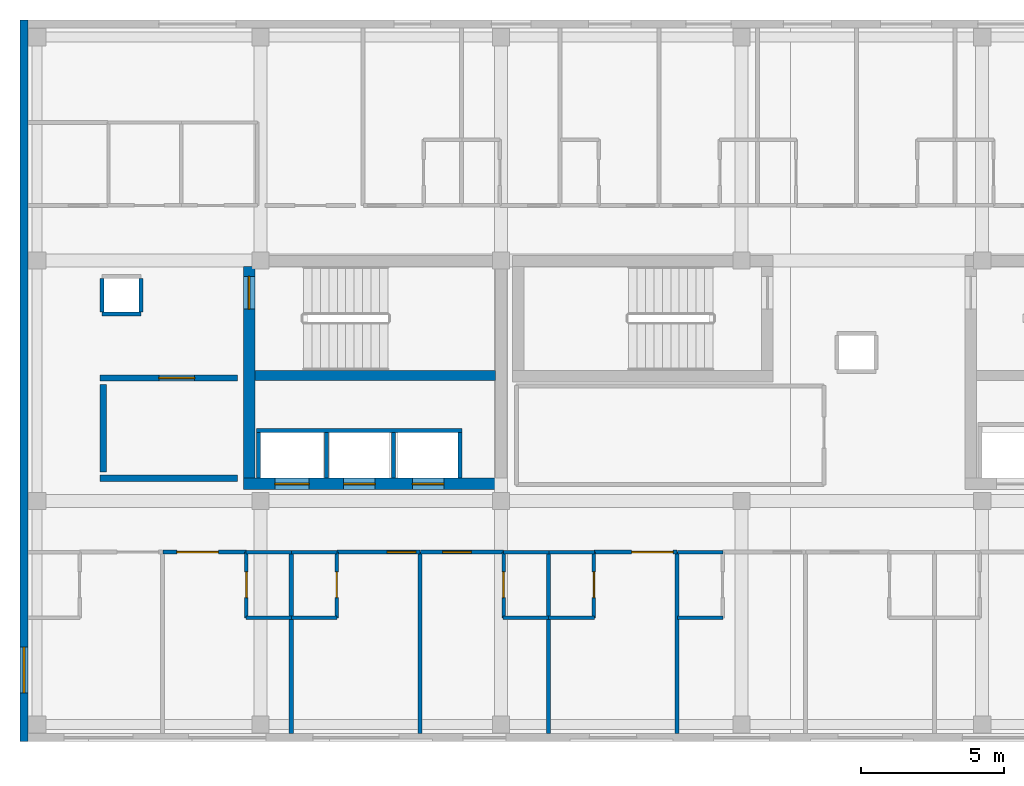
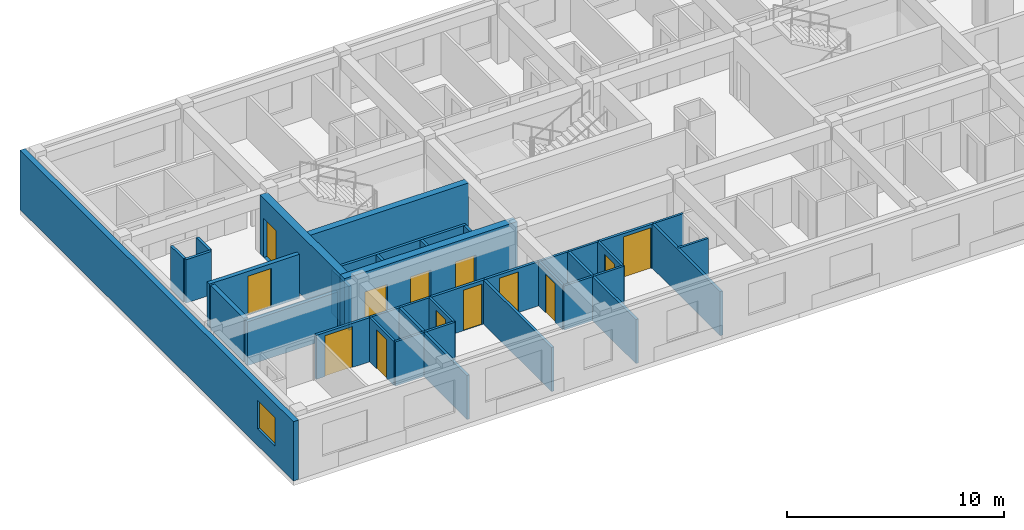
# One storey, part 2 of 9: 37 walls, 13 doors, 1 window, 14 openings.
"""IFC4 building model written with IfcOpenShell, lengths in metres."""

from ifc_helpers import new_model, si_unit, direction, frame, frame_2d, origin, place, context, subcontext, project, spatial, rectangle, extrude, material, layer, layer_set, type_object, element, fill, save


model = new_model("IFC4")

# Units and contexts
model_context = context("Model", 3, precision=1e-05, world=origin(), true_north=direction((0.0, 1.0)))
body_context = subcontext(model_context, "Body", "Model", "MODEL_VIEW")
ifc_project = project(units=[si_unit("LENGTHUNIT", "METRE"), si_unit("AREAUNIT", "SQUARE_METRE"), si_unit("VOLUMEUNIT", "CUBIC_METRE"), si_unit("PLANEANGLEUNIT", "RADIAN"), si_unit("MASSUNIT", "GRAM", prefix="KILO")], contexts=[model_context])

# Site, building, storey
site_placement = place(None, origin())
site = spatial("IfcSite", under=ifc_project, at=site_placement, CompositionType="ELEMENT")
building_placement = place(site_placement, origin())
building = spatial("IfcBuilding", under=site, at=building_placement, Name="Zayran Congress Hotel", CompositionType="ELEMENT")
storey_placement = place(building_placement, frame((0.0, 0.0, 40.800048828125)))
storey = spatial("IfcBuildingStorey", under=building, at=storey_placement, Name="L10", CompositionType="ELEMENT", Elevation=40.800048828125)

# Wall, opening, window
ifc_material_1 = material(Name="Hajar Ma'ani limestone cavity wall and concrete C32/40", Category="masonry")
ifc_layer_1 = layer(ifc_material_1, 0.280029296875)
ifc_layer_set_1 = layer_set([ifc_layer_1], Name="Hajar Ma'ani limestone cavity wall and concrete C32/40")
wall_type_1 = type_object("IfcWallType", Name="WL-EX-280", PredefinedType="SOLIDWALL", material=ifc_layer_set_1)
wall_1_placement = place(storey_placement, frame((16.93994140625, 8.800048828125, 0.0), z_axis=(0.0, 0.0, 1.0), x_axis=(0.0, 1.0, 0.0)))
wall_1 = element("IfcWall", 1, at=wall_1_placement, inside=storey, type_object=wall_type_1, Name="EW-V5-W-L10", PredefinedType="SOLIDWALL", context=body_context, shape_type="SweptSolid", body=[
    extrude(rectangle(XDim=25.199951171875, YDim=0.280029296875, at=frame_2d((12.60009765625, 0.0))), origin(), (0.0, 0.0, 1.0), 3.33984375),
])
opening_1_placement = place(wall_1_placement, frame((1.699951171875, 0.0, 0.949951171875)))
opening_1 = element("IfcOpeningElement", 2, at=opening_1_placement, cuts=wall_1, Name="Opening WN-15", PredefinedType="OPENING", context=body_context, shape_type="SweptSolid", body=[
    extrude(rectangle(XDim=1.60009765625, YDim=1.60009765625, at=frame_2d((0.800048828125, 0.800048828125))), frame((0.0, 0.14990234375, 0.0), z_axis=(0.0, -1.0, 0.0), x_axis=(1.0, 0.0, 0.0)), (0.0, 0.0, 1.0), 0.300048828125),
])
ifc_material_2 = material(Name="Anodised aluminium and low-E insulated glass", Category="aluminium")
window_type = type_object("IfcWindowType", Name="TP-WN-15", PartitioningType="SINGLE_PANEL", PredefinedType="WINDOW", material=ifc_material_2)
window_placement = place(opening_1_placement, origin())
window = element("IfcWindow", 3, at=window_placement, inside=storey, type_object=window_type, Name="WIN-V5W-L10", OverallHeight=1.60009765625, OverallWidth=1.60009765625, PartitioningType="SINGLE_PANEL", PredefinedType="WINDOW", context=body_context, shape_type="SweptSolid", body=[
    extrude(rectangle(XDim=1.60009765625, YDim=1.60009765625, at=frame_2d((0.800048828125, 0.800048828125))), frame((0.0, 0.030029296875, 0.0), z_axis=(0.0, -1.0, 0.0), x_axis=(1.0, 0.0, 0.0)), (0.0, 0.0, 1.0), 0.06005859375),
])
fill(opening_1, window)

# Wall, openings, doors
ifc_material_3 = material(Name="Concrete C40/50", Category="concrete")
ifc_layer_2 = layer(ifc_material_3, 0.39990234375)
ifc_layer_set_2 = layer_set([ifc_layer_2], Name="Concrete C40/50")
wall_type_2 = type_object("IfcWallType", Name="WL-SH-400", PredefinedType="SHEAR", material=ifc_layer_set_2)
wall_2_placement = place(storey_placement, frame((24.60009765625, 17.800048828125, 0.0), z_axis=(0.0, 0.0, 1.0), x_axis=(1.0, 0.0, 0.0)))
wall_2 = element("IfcWall", 4, at=wall_2_placement, inside=storey, type_object=wall_type_2, Name="CWALL-C-V5W-L10-S", PredefinedType="SHEAR", context=body_context, shape_type="SweptSolid", body=[
    extrude(rectangle(XDim=9.199951171875, YDim=0.39990234375, at=frame_2d((4.60009765625, 0.0))), origin(), (0.0, 0.0, 1.0), 3.320068359375),
])
opening_2_placement = place(wall_2_placement, frame((1.10009765625, 0.0, 0.0)))
opening_2 = element("IfcOpeningElement", 5, at=opening_2_placement, cuts=wall_2, Name="Opening LD-FL01", PredefinedType="OPENING", context=body_context, shape_type="SweptSolid", body=[
    extrude(rectangle(XDim=1.199951171875, YDim=2.199951171875, at=frame_2d((0.60009765625, 1.10009765625))), frame((0.0, 0.2099609375, 0.0), z_axis=(0.0, -1.0, 0.0), x_axis=(1.0, 0.0, 0.0)), (0.0, 0.0, 1.0), 0.419921875),
])
opening_3_placement = place(wall_2_placement, frame((3.5, 0.0, 0.0)))
opening_3 = element("IfcOpeningElement", 6, at=opening_3_placement, cuts=wall_2, Name="Opening LD-PL01", PredefinedType="OPENING", context=body_context, shape_type="SweptSolid", body=[
    extrude(rectangle(XDim=1.10009765625, YDim=2.199951171875, at=frame_2d((0.550048828125, 1.10009765625))), frame((0.0, 0.2099609375, 0.0), z_axis=(0.0, -1.0, 0.0), x_axis=(1.0, 0.0, 0.0)), (0.0, 0.0, 1.0), 0.419921875),
])
opening_4_placement = place(wall_2_placement, frame((5.89990234375, 0.0, 0.0)))
opening_4 = element("IfcOpeningElement", 7, at=opening_4_placement, cuts=wall_2, Name="Opening LD-PL02", PredefinedType="OPENING", context=body_context, shape_type="SweptSolid", body=[
    extrude(rectangle(XDim=1.10009765625, YDim=2.199951171875, at=frame_2d((0.550048828125, 1.10009765625))), frame((0.0, 0.2099609375, 0.0), z_axis=(0.0, -1.0, 0.0), x_axis=(1.0, 0.0, 0.0)), (0.0, 0.0, 1.0), 0.419921875),
])
ifc_material_4 = material(Name="Brushed stainless steel sliding lift landing door", Category="steel")
door_type_1 = type_object("IfcDoorType", Name="TP-DR-LD-01", OperationType="DOUBLE_DOOR_SLIDING", PredefinedType="DOOR", material=ifc_material_4)
door_1_placement = place(opening_3_placement, origin())
door_1 = element("IfcDoor", 8, at=door_1_placement, inside=storey, type_object=door_type_1, Name="Lift PL-01 Sliding Landing Door L10", OperationType="DOUBLE_DOOR_SLIDING", OverallHeight=2.199951171875, OverallWidth=1.10009765625, PredefinedType="DOOR", context=body_context, shape_type="SweptSolid", body=[
    extrude(rectangle(XDim=1.10009765625, YDim=2.199951171875, at=frame_2d((0.550048828125, 1.10009765625))), frame((0.0, 0.02490234375, 0.0), z_axis=(0.0, -1.0, 0.0), x_axis=(1.0, 0.0, 0.0)), (0.0, 0.0, 1.0), 0.050048828125),
])
fill(opening_3, door_1)
door_2_placement = place(opening_4_placement, origin())
door_2 = element("IfcDoor", 9, at=door_2_placement, inside=storey, type_object=door_type_1, Name="Lift PL-02 Sliding Landing Door L10", OperationType="DOUBLE_DOOR_SLIDING", OverallHeight=2.199951171875, OverallWidth=1.10009765625, PredefinedType="DOOR", context=body_context, shape_type="SweptSolid", body=[
    extrude(rectangle(XDim=1.10009765625, YDim=2.199951171875, at=frame_2d((0.550048828125, 1.10009765625))), frame((0.0, 0.02490234375, 0.0), z_axis=(0.0, -1.0, 0.0), x_axis=(1.0, 0.0, 0.0)), (0.0, 0.0, 1.0), 0.050048828125),
])
fill(opening_4, door_2)
ifc_material_5 = material(Name="Brushed stainless steel firefighting lift landing door", Category="steel")
door_type_2 = type_object("IfcDoorType", Name="TP-DR-LD-02", OperationType="DOUBLE_DOOR_SLIDING", PredefinedType="DOOR", material=ifc_material_5)
door_3_placement = place(opening_2_placement, origin())
door_3 = element("IfcDoor", 10, at=door_3_placement, inside=storey, type_object=door_type_2, Name="Lift FL-01 Sliding Landing Door L10", OperationType="DOUBLE_DOOR_SLIDING", OverallHeight=2.199951171875, OverallWidth=1.199951171875, PredefinedType="DOOR", context=body_context, shape_type="SweptSolid", body=[
    extrude(rectangle(XDim=1.199951171875, YDim=2.199951171875, at=frame_2d((0.60009765625, 1.10009765625))), frame((0.0, 0.02490234375, 0.0), z_axis=(0.0, -1.0, 0.0), x_axis=(1.0, 0.0, 0.0)), (0.0, 0.0, 1.0), 0.050048828125),
])
fill(opening_2, door_3)

# Wall, opening, door
wall_3_placement = place(storey_placement, frame((24.800048828125, 25.39990234375, 0.0), z_axis=(0.0, 0.0, 1.0), x_axis=(0.0, -1.0, 0.0)))
wall_3 = element("IfcWall", 11, at=wall_3_placement, inside=storey, type_object=wall_type_2, Name="CWALL-C-V5W-L10-W", PredefinedType="SHEAR", context=body_context, shape_type="SweptSolid", body=[
    extrude(rectangle(XDim=7.39990234375, YDim=0.39990234375, at=frame_2d((3.699951171875, 0.0))), origin(), (0.0, 0.0, 1.0), 3.320068359375),
])
opening_5_placement = place(wall_3_placement, frame((0.35009765625, 0.0, 0.0)))
opening_5 = element("IfcOpeningElement", 12, at=opening_5_placement, cuts=wall_3, Name="Opening DR-FD-90", PredefinedType="OPENING", context=body_context, shape_type="SweptSolid", body=[
    extrude(rectangle(XDim=1.14990234375, YDim=2.199951171875, at=frame_2d((0.574951171875, 1.10009765625))), frame((0.0, 0.2099609375, 0.0), z_axis=(0.0, -1.0, 0.0), x_axis=(1.0, 0.0, 0.0)), (0.0, 0.0, 1.0), 0.419921875),
])
ifc_material_6 = material(Name="Painted steel fire door assembly", Category="steel")
door_type_3 = type_object("IfcDoorType", Name="TP-DR-FD-90", OperationType="NOTDEFINED", PredefinedType="DOOR", material=ifc_material_6)
door_4_placement = place(opening_5_placement, origin())
door_4 = element("IfcDoor", 13, at=door_4_placement, inside=storey, type_object=door_type_3, Name="ST-01 Exit Stair Door L10", OperationType="SINGLE_SWING_LEFT", OverallHeight=2.199951171875, OverallWidth=1.14990234375, PredefinedType="DOOR", context=body_context, shape_type="SweptSolid", body=[
    extrude(rectangle(XDim=1.14990234375, YDim=2.199951171875, at=frame_2d((0.574951171875, 1.10009765625))), frame((0.0, 0.02490234375, 0.0), z_axis=(0.0, -1.0, 0.0), x_axis=(1.0, 0.0, 0.0)), (0.0, 0.0, 1.0), 0.050048828125),
])
fill(opening_5, door_4)

# Walls
ifc_layer_3 = layer(ifc_material_3, 0.35009765625)
ifc_layer_set_3 = layer_set([ifc_layer_3], Name="Concrete C40/50")
wall_type_3 = type_object("IfcWallType", Name="WL-SH-350", PredefinedType="SHEAR", material=ifc_layer_set_3)
wall_4_placement = place(storey_placement, frame((25.0, 21.5849609375, 0.0), z_axis=(0.0, 0.0, 1.0), x_axis=(1.0, 0.0, 0.0)))
element("IfcWall", 14, at=wall_4_placement, inside=storey, type_object=wall_type_3, Name="CWALL-C-V5W-L10-SPN", PredefinedType="SHEAR", context=body_context, shape_type="SweptSolid", body=[
    extrude(rectangle(XDim=8.39990234375, YDim=0.35009765625, at=frame_2d((4.199951171875, 0.0))), origin(), (0.0, 0.0, 1.0), 3.320068359375),
])
ifc_material_7 = material(Name="Concrete C32/40 fire wall", Category="concrete")
ifc_layer_4 = layer(ifc_material_7, 0.219970703125)
ifc_layer_set_4 = layer_set([ifc_layer_4], Name="Concrete C32/40 fire wall")
wall_type_4 = type_object("IfcWallType", Name="WL-FF-220", PredefinedType="SOLIDWALL", material=ifc_layer_set_4)
wall_5_placement = place(storey_placement, frame((19.60009765625, 18.0, 0.0), z_axis=(0.0, 0.0, 1.0), x_axis=(1.0, 0.0, 0.0)))
element("IfcWall", 15, at=wall_5_placement, inside=storey, type_object=wall_type_4, Name="FFWL-C-V5W-L10-S", PredefinedType="SOLIDWALL", context=body_context, shape_type="SweptSolid", body=[
    extrude(rectangle(XDim=4.7998046875, YDim=0.219970703125, at=frame_2d((2.39990234375, 0.0))), origin(), (0.0, 0.0, 1.0), 2.469970703125),
])

# Wall, opening, door
wall_6_placement = place(storey_placement, frame((19.60009765625, 21.5, 0.0), z_axis=(0.0, 0.0, 1.0), x_axis=(1.0, 0.0, 0.0)))
wall_6 = element("IfcWall", 16, at=wall_6_placement, inside=storey, type_object=wall_type_4, Name="FFWL-C-V5W-L10-N", PredefinedType="SOLIDWALL", context=body_context, shape_type="SweptSolid", body=[
    extrude(rectangle(XDim=4.7998046875, YDim=0.219970703125, at=frame_2d((2.39990234375, 0.0))), origin(), (0.0, 0.0, 1.0), 2.469970703125),
])
opening_6_placement = place(wall_6_placement, frame((2.050048828125, 0.0, 0.0)))
opening_6 = element("IfcOpeningElement", 17, at=opening_6_placement, cuts=wall_6, Name="Opening DR-FF-60", PredefinedType="OPENING", context=body_context, shape_type="SweptSolid", body=[
    extrude(rectangle(XDim=1.25, YDim=2.199951171875, at=frame_2d((0.625, 1.10009765625))), frame((0.0, 0.119873046875, 0.0), z_axis=(0.0, -1.0, 0.0), x_axis=(1.0, 0.0, 0.0)), (0.0, 0.0, 1.0), 0.239990234375),
])
ifc_material_8 = material(Name="Painted steel smoke-seal fire door", Category="steel")
door_type_4 = type_object("IfcDoorType", Name="TP-DR-FF-60", OperationType="NOTDEFINED", PredefinedType="DOOR", material=ifc_material_8)
door_5_placement = place(opening_6_placement, origin())
door_5 = element("IfcDoor", 18, at=door_5_placement, inside=storey, type_object=door_type_4, Name="Firefighting Lift Lobby Door C-V5W L10", OperationType="SINGLE_SWING_RIGHT", OverallHeight=2.199951171875, OverallWidth=1.25, PredefinedType="DOOR", context=body_context, shape_type="SweptSolid", body=[
    extrude(rectangle(XDim=1.25, YDim=2.199951171875, at=frame_2d((0.625, 1.10009765625))), frame((0.0, 0.02490234375, 0.0), z_axis=(0.0, -1.0, 0.0), x_axis=(1.0, 0.0, 0.0)), (0.0, 0.0, 1.0), 0.050048828125),
])
fill(opening_6, door_5)

# Walls
wall_7_placement = place(storey_placement, frame((19.7099609375, 18.219970703125, 0.0), z_axis=(0.0, 0.0, 1.0), x_axis=(0.0, 1.0, 0.0)))
element("IfcWall", 19, at=wall_7_placement, inside=storey, type_object=wall_type_4, Name="FFWL-C-V5W-L10-SD", PredefinedType="SOLIDWALL", context=body_context, shape_type="SweptSolid", body=[
    extrude(rectangle(XDim=3.06005859375, YDim=0.219970703125, at=frame_2d((1.530029296875, 0.0))), origin(), (0.0, 0.0, 1.0), 2.469970703125),
])
ifc_material_9 = material(Name="Hospitality guestroom acoustic partition", Category="gypsum")
ifc_layer_5 = layer(ifc_material_9, 0.139892578125)
ifc_layer_set_5 = layer_set([ifc_layer_5], Name="Hospitality guestroom acoustic partition")
wall_type_5 = type_object("IfcWallType", Name="WL-PT-140", PredefinedType="PARTITIONING", material=ifc_layer_set_5)
for number, where, z_axis, x_axis, name in (
    (20, (25.1298828125, 18.0, 0.0), (0.0, 0.0, 1.0), (0.0, 1.0, 0.0), "LSHW-C-V5W-L10-W"),
    (21, (27.5, 18.0, 0.0), (0.0, 0.0, 1.0), (0.0, 1.0, 0.0), "LSHW-C-V5W-L10-DIV1"),
    (22, (29.85009765625, 18.0, 0.0), (0.0, 0.0, 1.0), (0.0, 1.0, 0.0), "LSHW-C-V5W-L10-DIV2"),
    (23, (32.169921875, 18.0, 0.0), (0.0, 0.0, 1.0), (0.0, 1.0, 0.0), "LSHW-C-V5W-L10-E"),
):
    element("IfcWall", number, at=place(storey_placement, frame(where, z_axis=z_axis, x_axis=x_axis)), inside=storey, type_object=wall_type_5, Name=name, PredefinedType="PARTITIONING", context=body_context, shape_type="SweptSolid", body=[
        extrude(rectangle(XDim=1.60009765625, YDim=0.139892578125, at=frame_2d((0.800048828125, 0.0))), origin(), (0.0, 0.0, 1.0), 2.469970703125),
    ])
wall_8_placement = place(storey_placement, frame((25.06005859375, 19.669921875, 0.0), z_axis=(0.0, 0.0, 1.0), x_axis=(1.0, 0.0, 0.0)))
element("IfcWall", 24, at=wall_8_placement, inside=storey, type_object=wall_type_5, Name="LSHW-C-V5W-L10-N", PredefinedType="PARTITIONING", context=body_context, shape_type="SweptSolid", body=[
    extrude(rectangle(XDim=7.179931640625, YDim=0.139892578125, at=frame_2d((3.58984375, 0.0))), origin(), (0.0, 0.0, 1.0), 2.469970703125),
])

# Wall, opening, door
wall_9_placement = place(storey_placement, frame((21.801025390625, 15.419921875, 0.0), z_axis=(0.0, 0.0, 1.0), x_axis=(1.0, 0.0, 0.0)))
wall_9 = element("IfcWall", 25, at=wall_9_placement, inside=storey, type_object=wall_type_5, Name="IW-L10-0814", PredefinedType="PARTITIONING", context=body_context, shape_type="SweptSolid", body=[
    extrude(rectangle(XDim=2.90185546875, YDim=0.139892578125, at=frame_2d((1.450927734375, 0.0))), origin(), (0.0, 0.0, 1.0), 2.47998046875),
])
opening_7_placement = place(wall_9_placement, frame((0.47509765625, 0.0, 0.0)))
opening_7 = element("IfcOpeningElement", 26, at=opening_7_placement, cuts=wall_9, Name="Opening DR-ST-01", PredefinedType="OPENING", context=body_context, shape_type="SweptSolid", body=[
    extrude(rectangle(XDim=1.449951171875, YDim=2.300048828125, at=frame_2d((0.72509765625, 1.14990234375))), frame((0.0, 0.079833984375, 0.0), z_axis=(0.0, -1.0, 0.0), x_axis=(1.0, 0.0, 0.0)), (0.0, 0.0, 1.0), 0.159912109375),
])
ifc_material_10 = material(Name="Double walnut veneer suite entry door", Category="wood")
door_type_5 = type_object("IfcDoorType", Name="TP-DR-ST-01", OperationType="DOUBLE_DOOR_SINGLE_SWING", PredefinedType="DOOR", material=ifc_material_10)
door_6_placement = place(opening_7_placement, origin())
door_6 = element("IfcDoor", 27, at=door_6_placement, inside=storey, type_object=door_type_5, Name="Diplomatic Suite L10-02 Door", OperationType="DOUBLE_DOOR_SINGLE_SWING", OverallHeight=2.300048828125, OverallWidth=1.449951171875, PredefinedType="DOOR", context=body_context, shape_type="SweptSolid", body=[
    extrude(rectangle(XDim=1.449951171875, YDim=2.300048828125, at=frame_2d((0.72509765625, 1.14990234375))), frame((0.0, 0.02490234375, 0.0), z_axis=(0.0, -1.0, 0.0), x_axis=(1.0, 0.0, 0.0)), (0.0, 0.0, 1.0), 0.050048828125),
])
fill(opening_7, door_6)

wall_10_placement = place(storey_placement, frame((27.861083984375, 15.419921875, 0.0), z_axis=(0.0, 0.0, 1.0), x_axis=(1.0, 0.0, 0.0)))
wall_10 = element("IfcWall", 28, at=wall_10_placement, inside=storey, type_object=wall_type_5, Name="IW-L10-0815", PredefinedType="PARTITIONING", context=body_context, shape_type="SweptSolid", body=[
    extrude(rectangle(XDim=2.90185546875, YDim=0.139892578125, at=frame_2d((1.450927734375, 0.0))), origin(), (0.0, 0.0, 1.0), 2.47998046875),
])
opening_8_placement = place(wall_10_placement, frame((1.761962890625, 0.0, 0.0)))
opening_8 = element("IfcOpeningElement", 29, at=opening_8_placement, cuts=wall_10, Name="Opening DR-GR-04", PredefinedType="OPENING", context=body_context, shape_type="SweptSolid", body=[
    extrude(rectangle(XDim=1.0, YDim=2.280029296875, at=frame_2d((0.5, 1.14013671875))), frame((0.0, 0.079833984375, 0.0), z_axis=(0.0, -1.0, 0.0), x_axis=(1.0, 0.0, 0.0)), (0.0, 0.0, 1.0), 0.159912109375),
])
ifc_material_11 = material(Name="Diplomatic walnut veneer entry door", Category="wood")
door_type_6 = type_object("IfcDoorType", Name="TP-DR-GR-04", OperationType="NOTDEFINED", PredefinedType="DOOR", material=ifc_material_11)
door_7_placement = place(opening_8_placement, origin())
door_7 = element("IfcDoor", 30, at=door_7_placement, inside=storey, type_object=door_type_6, Name="Guest Room L10-03 Door", OperationType="SINGLE_SWING_LEFT", OverallHeight=2.280029296875, OverallWidth=1.0, PredefinedType="DOOR", context=body_context, shape_type="SweptSolid", body=[
    extrude(rectangle(XDim=1.0, YDim=2.280029296875, at=frame_2d((0.5, 1.14013671875))), frame((0.0, 0.02490234375, 0.0), z_axis=(0.0, -1.0, 0.0), x_axis=(1.0, 0.0, 0.0)), (0.0, 0.0, 1.0), 0.050048828125),
])
fill(opening_8, door_7)

wall_11_placement = place(storey_placement, frame((30.782958984375, 15.419921875, 0.0), z_axis=(0.0, 0.0, 1.0), x_axis=(1.0, 0.0, 0.0)))
wall_11 = element("IfcWall", 31, at=wall_11_placement, inside=storey, type_object=wall_type_5, Name="IW-L10-0816", PredefinedType="PARTITIONING", context=body_context, shape_type="SweptSolid", body=[
    extrude(rectangle(XDim=2.902099609375, YDim=0.139892578125, at=frame_2d((1.451171875, 0.0))), origin(), (0.0, 0.0, 1.0), 2.47998046875),
])
opening_9_placement = place(wall_11_placement, frame((0.777099609375, 0.0, 0.0)))
opening_9 = element("IfcOpeningElement", 32, at=opening_9_placement, cuts=wall_11, Name="Opening DR-GR-04", PredefinedType="OPENING", context=body_context, shape_type="SweptSolid", body=[
    extrude(rectangle(XDim=1.0, YDim=2.280029296875, at=frame_2d((0.5, 1.14013671875))), frame((0.0, 0.079833984375, 0.0), z_axis=(0.0, -1.0, 0.0), x_axis=(1.0, 0.0, 0.0)), (0.0, 0.0, 1.0), 0.159912109375),
])
door_8_placement = place(opening_9_placement, origin())
door_8 = element("IfcDoor", 33, at=door_8_placement, inside=storey, type_object=door_type_6, Name="Guest Room L10-04 Door", OperationType="SINGLE_SWING_RIGHT", OverallHeight=2.280029296875, OverallWidth=1.0, PredefinedType="DOOR", context=body_context, shape_type="SweptSolid", body=[
    extrude(rectangle(XDim=1.0, YDim=2.280029296875, at=frame_2d((0.5, 1.14013671875))), frame((0.0, 0.02490234375, 0.0), z_axis=(0.0, -1.0, 0.0), x_axis=(1.0, 0.0, 0.0)), (0.0, 0.0, 1.0), 0.050048828125),
])
fill(opening_9, door_8)

wall_12_placement = place(storey_placement, frame((36.843017578125, 15.419921875, 0.0), z_axis=(0.0, 0.0, 1.0), x_axis=(1.0, 0.0, 0.0)))
wall_12 = element("IfcWall", 34, at=wall_12_placement, inside=storey, type_object=wall_type_5, Name="IW-L10-0817", PredefinedType="PARTITIONING", context=body_context, shape_type="SweptSolid", body=[
    extrude(rectangle(XDim=2.902099609375, YDim=0.139892578125, at=frame_2d((1.451171875, 0.0))), origin(), (0.0, 0.0, 1.0), 2.47998046875),
])
opening_10_placement = place(wall_12_placement, frame((1.31201171875, 0.0, 0.0)))
opening_10 = element("IfcOpeningElement", 35, at=opening_10_placement, cuts=wall_12, Name="Opening DR-ST-01", PredefinedType="OPENING", context=body_context, shape_type="SweptSolid", body=[
    extrude(rectangle(XDim=1.449951171875, YDim=2.300048828125, at=frame_2d((0.72509765625, 1.14990234375))), frame((0.0, 0.079833984375, 0.0), z_axis=(0.0, -1.0, 0.0), x_axis=(1.0, 0.0, 0.0)), (0.0, 0.0, 1.0), 0.159912109375),
])
door_9_placement = place(opening_10_placement, origin())
door_9 = element("IfcDoor", 36, at=door_9_placement, inside=storey, type_object=door_type_5, Name="Junior Suite L10-05 Door", OperationType="DOUBLE_DOOR_SINGLE_SWING", OverallHeight=2.300048828125, OverallWidth=1.449951171875, PredefinedType="DOOR", context=body_context, shape_type="SweptSolid", body=[
    extrude(rectangle(XDim=1.449951171875, YDim=2.300048828125, at=frame_2d((0.72509765625, 1.14990234375))), frame((0.0, 0.02490234375, 0.0), z_axis=(0.0, -1.0, 0.0), x_axis=(1.0, 0.0, 0.0)), (0.0, 0.0, 1.0), 0.050048828125),
])
fill(opening_10, door_9)

# Walls
for number, where, z_axis, x_axis, name in (
    (37, (26.27197265625, 9.080078125, 0.0), (0.0, 0.0, 1.0), (0.0, 1.0, 0.0), "IW-L10-2150"),
    (38, (30.762939453125, 9.080078125, 0.0), (0.0, 0.0, 1.0), (0.0, 1.0, 0.0), "IW-L10-2151"),
    (39, (35.25390625, 9.080078125, 0.0), (0.0, 0.0, 1.0), (0.0, 1.0, 0.0), "IW-L10-2152"),
    (40, (39.7451171875, 9.080078125, 0.0), (0.0, 0.0, 1.0), (0.0, 1.0, 0.0), "IW-L10-2153"),
):
    element("IfcWall", number, at=place(storey_placement, frame(where, z_axis=z_axis, x_axis=x_axis)), inside=storey, type_object=wall_type_5, Name=name, PredefinedType="PARTITIONING", context=body_context, shape_type="SweptSolid", body=[
        extrude(rectangle(XDim=6.349853515625, YDim=0.139892578125, at=frame_2d((3.1748046875, 0.0))), origin(), (0.0, 0.0, 1.0), 2.47998046875),
    ])
wall_13_placement = place(storey_placement, frame((19.669921875, 23.72998046875, 0.0), z_axis=(0.0, 0.0, 1.0), x_axis=(1.0, 0.0, 0.0)))
element("IfcWall", 41, at=wall_13_placement, inside=storey, type_object=wall_type_5, Name="RSWL-V5-L10-053-S", PredefinedType="PARTITIONING", context=body_context, shape_type="SweptSolid", body=[
    extrude(rectangle(XDim=1.360107421875, YDim=0.139892578125, at=frame_2d((0.68017578125, 0.0))), origin(), (0.0, 0.0, 1.0), 2.43994140625),
])
for number, where, z_axis, x_axis, name in (
    (42, (19.669921875, 24.97998046875, 0.0), (0.0, 0.0, 1.0), (0.0, -1.0, 0.0), "RSWL-V5-L10-053-W"),
    (43, (21.030029296875, 23.800048828125, 0.0), (0.0, 0.0, 1.0), (0.0, 1.0, 0.0), "RSWL-V5-L10-053-E"),
):
    element("IfcWall", number, at=place(storey_placement, frame(where, z_axis=z_axis, x_axis=x_axis)), inside=storey, type_object=wall_type_5, Name=name, PredefinedType="PARTITIONING", context=body_context, shape_type="SweptSolid", body=[
        extrude(rectangle(XDim=1.179931640625, YDim=0.139892578125, at=frame_2d((0.58984375, 0.0))), origin(), (0.0, 0.0, 1.0), 2.43994140625),
    ])

# Wall, opening, door
ifc_material_12 = material(Name="Moisture-resistant bathroom partition", Category="gypsum")
ifc_layer_6 = layer(ifc_material_12, 0.1201171875)
ifc_layer_set_6 = layer_set([ifc_layer_6], Name="Moisture-resistant bathroom partition")
wall_type_6 = type_object("IfcWallType", Name="WL-PT-120", PredefinedType="PARTITIONING", material=ifc_layer_set_6)
wall_14_placement = place(storey_placement, frame((24.702880859375, 13.1201171875, 0.0), z_axis=(0.0, 0.0, 1.0), x_axis=(0.0, 1.0, 0.0)))
wall_14 = element("IfcWall", 44, at=wall_14_placement, inside=storey, type_object=wall_type_6, Name="IW-L10-0296", PredefinedType="PARTITIONING", context=body_context, shape_type="SweptSolid", body=[
    extrude(rectangle(XDim=2.309814453125, YDim=0.1201171875, at=frame_2d((1.15478515625, 0.0))), origin(), (0.0, 0.0, 1.0), 2.47998046875),
])
opening_11_placement = place(wall_14_placement, frame((0.705078125, 0.0, 0.0)))
opening_11 = element("IfcOpeningElement", 45, at=opening_11_placement, cuts=wall_14, Name="Opening DR-BT-03", PredefinedType="OPENING", context=body_context, shape_type="SweptSolid", body=[
    extrude(rectangle(XDim=0.89990234375, YDim=2.179931640625, at=frame_2d((0.449951171875, 1.08984375))), frame((0.0, 0.070068359375, 0.0), z_axis=(0.0, -1.0, 0.0), x_axis=(1.0, 0.0, 0.0)), (0.0, 0.0, 1.0), 0.14013671875),
])
ifc_material_13 = material(Name="Suite oak en-suite bathroom door", Category="wood")
door_type_7 = type_object("IfcDoorType", Name="TP-DR-BT-03", OperationType="NOTDEFINED", PredefinedType="DOOR", material=ifc_material_13)
door_10_placement = place(opening_11_placement, origin())
door_10 = element("IfcDoor", 46, at=door_10_placement, inside=storey, type_object=door_type_7, Name="En-Suite Bathroom L10-02 Door", OperationType="SINGLE_SWING_LEFT", OverallHeight=2.179931640625, OverallWidth=0.89990234375, PredefinedType="DOOR", context=body_context, shape_type="SweptSolid", body=[
    extrude(rectangle(XDim=0.89990234375, YDim=2.179931640625, at=frame_2d((0.449951171875, 1.08984375))), frame((0.0, 0.02490234375, 0.0), z_axis=(0.0, -1.0, 0.0), x_axis=(1.0, 0.0, 0.0)), (0.0, 0.0, 1.0), 0.050048828125),
])
fill(opening_11, door_10)

wall_15_placement = place(storey_placement, frame((27.861083984375, 13.1201171875, 0.0), z_axis=(0.0, 0.0, 1.0), x_axis=(0.0, 1.0, 0.0)))
wall_15 = element("IfcWall", 47, at=wall_15_placement, inside=storey, type_object=wall_type_6, Name="IW-L10-0297", PredefinedType="PARTITIONING", context=body_context, shape_type="SweptSolid", body=[
    extrude(rectangle(XDim=2.309814453125, YDim=0.1201171875, at=frame_2d((1.15478515625, 0.0))), origin(), (0.0, 0.0, 1.0), 2.47998046875),
])
opening_12_placement = place(wall_15_placement, frame((0.705078125, 0.0, 0.0)))
opening_12 = element("IfcOpeningElement", 48, at=opening_12_placement, cuts=wall_15, Name="Opening DR-BT-03", PredefinedType="OPENING", context=body_context, shape_type="SweptSolid", body=[
    extrude(rectangle(XDim=0.89990234375, YDim=2.179931640625, at=frame_2d((0.449951171875, 1.08984375))), frame((0.0, 0.070068359375, 0.0), z_axis=(0.0, -1.0, 0.0), x_axis=(1.0, 0.0, 0.0)), (0.0, 0.0, 1.0), 0.14013671875),
])
door_11_placement = place(opening_12_placement, origin())
door_11 = element("IfcDoor", 49, at=door_11_placement, inside=storey, type_object=door_type_7, Name="En-Suite Bathroom L10-03 Door", OperationType="SINGLE_SWING_RIGHT", OverallHeight=2.179931640625, OverallWidth=0.89990234375, PredefinedType="DOOR", context=body_context, shape_type="SweptSolid", body=[
    extrude(rectangle(XDim=0.89990234375, YDim=2.179931640625, at=frame_2d((0.449951171875, 1.08984375))), frame((0.0, 0.02490234375, 0.0), z_axis=(0.0, -1.0, 0.0), x_axis=(1.0, 0.0, 0.0)), (0.0, 0.0, 1.0), 0.050048828125),
])
fill(opening_12, door_11)

wall_16_placement = place(storey_placement, frame((33.68505859375, 13.1201171875, 0.0), z_axis=(0.0, 0.0, 1.0), x_axis=(0.0, 1.0, 0.0)))
wall_16 = element("IfcWall", 50, at=wall_16_placement, inside=storey, type_object=wall_type_6, Name="IW-L10-0298", PredefinedType="PARTITIONING", context=body_context, shape_type="SweptSolid", body=[
    extrude(rectangle(XDim=2.309814453125, YDim=0.1201171875, at=frame_2d((1.15478515625, 0.0))), origin(), (0.0, 0.0, 1.0), 2.47998046875),
])
opening_13_placement = place(wall_16_placement, frame((0.705078125, 0.0, 0.0)))
opening_13 = element("IfcOpeningElement", 51, at=opening_13_placement, cuts=wall_16, Name="Opening DR-BT-03", PredefinedType="OPENING", context=body_context, shape_type="SweptSolid", body=[
    extrude(rectangle(XDim=0.89990234375, YDim=2.179931640625, at=frame_2d((0.449951171875, 1.08984375))), frame((0.0, 0.070068359375, 0.0), z_axis=(0.0, -1.0, 0.0), x_axis=(1.0, 0.0, 0.0)), (0.0, 0.0, 1.0), 0.14013671875),
])
door_12_placement = place(opening_13_placement, origin())
door_12 = element("IfcDoor", 52, at=door_12_placement, inside=storey, type_object=door_type_7, Name="En-Suite Bathroom L10-04 Door", OperationType="SINGLE_SWING_LEFT", OverallHeight=2.179931640625, OverallWidth=0.89990234375, PredefinedType="DOOR", context=body_context, shape_type="SweptSolid", body=[
    extrude(rectangle(XDim=0.89990234375, YDim=2.179931640625, at=frame_2d((0.449951171875, 1.08984375))), frame((0.0, 0.02490234375, 0.0), z_axis=(0.0, -1.0, 0.0), x_axis=(1.0, 0.0, 0.0)), (0.0, 0.0, 1.0), 0.050048828125),
])
fill(opening_13, door_12)

wall_17_placement = place(storey_placement, frame((36.843017578125, 13.1201171875, 0.0), z_axis=(0.0, 0.0, 1.0), x_axis=(0.0, 1.0, 0.0)))
wall_17 = element("IfcWall", 53, at=wall_17_placement, inside=storey, type_object=wall_type_6, Name="IW-L10-0299", PredefinedType="PARTITIONING", context=body_context, shape_type="SweptSolid", body=[
    extrude(rectangle(XDim=2.309814453125, YDim=0.1201171875, at=frame_2d((1.15478515625, 0.0))), origin(), (0.0, 0.0, 1.0), 2.47998046875),
])
opening_14_placement = place(wall_17_placement, frame((0.705078125, 0.0, 0.0)))
opening_14 = element("IfcOpeningElement", 54, at=opening_14_placement, cuts=wall_17, Name="Opening DR-BT-03", PredefinedType="OPENING", context=body_context, shape_type="SweptSolid", body=[
    extrude(rectangle(XDim=0.89990234375, YDim=2.179931640625, at=frame_2d((0.449951171875, 1.08984375))), frame((0.0, 0.070068359375, 0.0), z_axis=(0.0, -1.0, 0.0), x_axis=(1.0, 0.0, 0.0)), (0.0, 0.0, 1.0), 0.14013671875),
])
door_13_placement = place(opening_14_placement, origin())
door_13 = element("IfcDoor", 55, at=door_13_placement, inside=storey, type_object=door_type_7, Name="En-Suite Bathroom L10-05 Door", OperationType="SINGLE_SWING_RIGHT", OverallHeight=2.179931640625, OverallWidth=0.89990234375, PredefinedType="DOOR", context=body_context, shape_type="SweptSolid", body=[
    extrude(rectangle(XDim=0.89990234375, YDim=2.179931640625, at=frame_2d((0.449951171875, 1.08984375))), frame((0.0, 0.02490234375, 0.0), z_axis=(0.0, -1.0, 0.0), x_axis=(1.0, 0.0, 0.0)), (0.0, 0.0, 1.0), 0.050048828125),
])
fill(opening_14, door_13)

# Walls
for number, where, z_axis, x_axis, name in (
    (56, (24.693115234375, 13.1298828125, 0.0), (0.0, 0.0, 1.0), (1.0, 0.0, 0.0), "IW-L10-1459"),
    (57, (24.693115234375, 15.419921875, 0.0), (0.0, 0.0, 1.0), (1.0, 0.0, 0.0), "IW-L10-1460"),
):
    element("IfcWall", number, at=place(storey_placement, frame(where, z_axis=z_axis, x_axis=x_axis)), inside=storey, type_object=wall_type_6, Name=name, PredefinedType="PARTITIONING", context=body_context, shape_type="SweptSolid", body=[
        extrude(rectangle(XDim=1.5888671875, YDim=0.1201171875, at=frame_2d((0.79443359375, 0.0))), origin(), (0.0, 0.0, 1.0), 2.47998046875),
    ])
for number, where, z_axis, x_axis, name in (
    (58, (26.281982421875, 13.1298828125, 0.0), (0.0, 0.0, 1.0), (1.0, 0.0, 0.0), "IW-L10-1461"),
    (59, (26.281982421875, 15.419921875, 0.0), (0.0, 0.0, 1.0), (1.0, 0.0, 0.0), "IW-L10-1462"),
):
    element("IfcWall", number, at=place(storey_placement, frame(where, z_axis=z_axis, x_axis=x_axis)), inside=storey, type_object=wall_type_6, Name=name, PredefinedType="PARTITIONING", context=body_context, shape_type="SweptSolid", body=[
        extrude(rectangle(XDim=1.589111328125, YDim=0.1201171875, at=frame_2d((0.79443359375, 0.0))), origin(), (0.0, 0.0, 1.0), 2.47998046875),
    ])
wall_18_placement = place(storey_placement, frame((33.675048828125, 13.1298828125, 0.0), z_axis=(0.0, 0.0, 1.0), x_axis=(1.0, 0.0, 0.0)))
element("IfcWall", 60, at=wall_18_placement, inside=storey, type_object=wall_type_6, Name="IW-L10-1463", PredefinedType="PARTITIONING", context=body_context, shape_type="SweptSolid", body=[
    extrude(rectangle(XDim=1.5888671875, YDim=0.1201171875, at=frame_2d((0.79443359375, 0.0))), origin(), (0.0, 0.0, 1.0), 2.47998046875),
])
wall_19_placement = place(storey_placement, frame((33.68505859375, 15.419921875, 0.0), z_axis=(0.0, 0.0, 1.0), x_axis=(1.0, 0.0, 0.0)))
element("IfcWall", 61, at=wall_19_placement, inside=storey, type_object=wall_type_6, Name="IW-L10-1464", PredefinedType="PARTITIONING", context=body_context, shape_type="SweptSolid", body=[
    extrude(rectangle(XDim=1.578857421875, YDim=0.1201171875, at=frame_2d((0.78955078125, 0.0))), origin(), (0.0, 0.0, 1.0), 2.47998046875),
])
for number, where, z_axis, x_axis, name in (
    (62, (35.263916015625, 13.1298828125, 0.0), (0.0, 0.0, 1.0), (1.0, 0.0, 0.0), "IW-L10-1465"),
    (63, (35.263916015625, 15.419921875, 0.0), (0.0, 0.0, 1.0), (1.0, 0.0, 0.0), "IW-L10-1466"),
    (64, (39.7548828125, 13.1298828125, 0.0), (0.0, 0.0, 1.0), (1.0, 0.0, 0.0), "IW-L10-1467"),
    (65, (39.7548828125, 15.419921875, 0.0), (0.0, 0.0, 1.0), (1.0, 0.0, 0.0), "IW-L10-1468"),
):
    element("IfcWall", number, at=place(storey_placement, frame(where, z_axis=z_axis, x_axis=x_axis)), inside=storey, type_object=wall_type_6, Name=name, PredefinedType="PARTITIONING", context=body_context, shape_type="SweptSolid", body=[
        extrude(rectangle(XDim=1.589111328125, YDim=0.1201171875, at=frame_2d((0.79443359375, 0.0))), origin(), (0.0, 0.0, 1.0), 2.47998046875),
    ])

save(model, "model.ifc")
